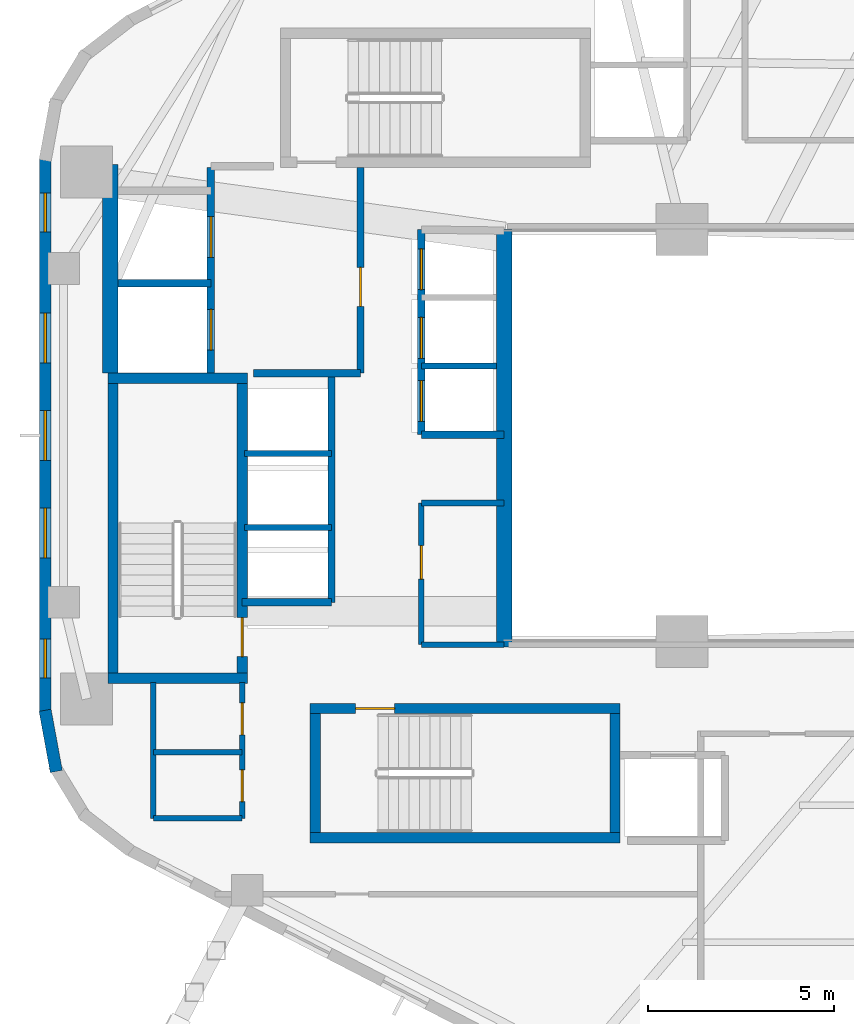
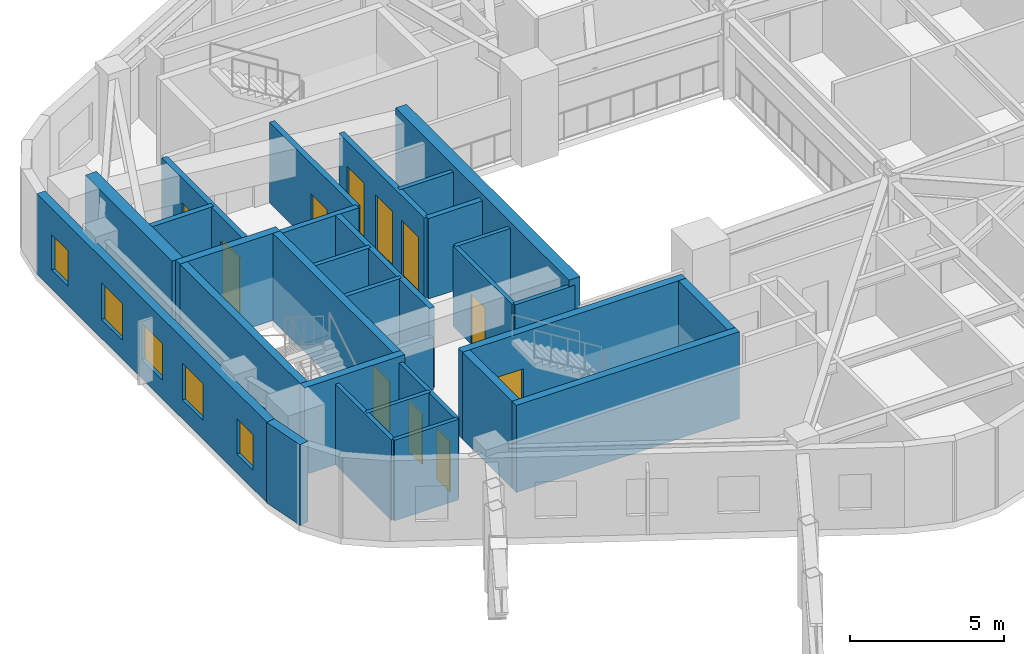
# One storey, part 6 of 11: 30 walls, 11 doors, 5 windows, 16 openings.
"""IFC4 building model written with IfcOpenShell, lengths in metres."""

from ifc_helpers import new_model, si_unit, direction, frame, frame_2d, origin, place, context, subcontext, project, spatial, rectangle, extrude, material, layer, layer_set, type_object, element, fill, save


model = new_model("IFC4")

# Units and contexts
model_context = context("Model", 3, precision=1e-05, world=origin(), true_north=direction((0.0, 1.0)))
body_context = subcontext(model_context, "Body", "Model", "MODEL_VIEW")
ifc_project = project(units=[si_unit("LENGTHUNIT", "METRE"), si_unit("AREAUNIT", "SQUARE_METRE"), si_unit("VOLUMEUNIT", "CUBIC_METRE"), si_unit("PLANEANGLEUNIT", "RADIAN"), si_unit("MASSUNIT", "GRAM", prefix="KILO"), si_unit("THERMODYNAMICTEMPERATUREUNIT", "KELVIN"), si_unit("POWERUNIT", "WATT")], contexts=[model_context])

# Site, building, storey
site_placement = place(None, origin())
site = spatial("IfcSite", under=ifc_project, at=site_placement, CompositionType="ELEMENT")
building_placement = place(site_placement, origin())
building = spatial("IfcBuilding", under=site, at=building_placement, Name="Skarre Station Tower", CompositionType="ELEMENT")
storey_placement = place(building_placement, frame((0.0, 0.0, 167.10009765625)))
storey = spatial("IfcBuildingStorey", under=building, at=storey_placement, Name="L45", CompositionType="ELEMENT", Elevation=167.10009765625)

# Wall, opening, door
ifc_material_1 = material(Name="Acoustic Steel-Stud Gypsum Partition", Category="steel")
ifc_layer_1 = layer(ifc_material_1, 0.14990234375, Name="Acoustic Steel-Stud Gypsum Partition")
ifc_layer_set_1 = layer_set([ifc_layer_1], Name="Acoustic Steel-Stud Gypsum Partition")
wall_type_1 = type_object("IfcWallType", Name="Fire-Rated Corridor Acoustic Partition 150", PredefinedType="PARTITIONING", material=ifc_layer_set_1)
wall_1_placement = place(storey_placement, frame((25.320068359375, 22.179931640625, 0.0), z_axis=(0.0, 0.0, 1.0), x_axis=(0.0, -1.0, 0.0)))
wall_1 = element("IfcWall", 1, at=wall_1_placement, inside=storey, type_object=wall_type_1, Name="L45 Interior Partition WL-PT-L45-RC1-W", PredefinedType="PARTITIONING", context=body_context, shape_type="SweptSolid", body=[
    extrude(rectangle(XDim=3.81982421875, YDim=0.14990234375, at=frame_2d((1.909912109375, 0.0))), origin(), (0.0, 0.0, 1.0), 3.18994140625),
])
opening_1_placement = place(wall_1_placement, frame((1.14990234375, 0.0, 0.0)))
opening_1 = element("IfcOpeningElement", 2, at=opening_1_placement, cuts=wall_1, Name="Opening DR-SVC90", PredefinedType="OPENING", context=body_context, shape_type="SweptSolid", body=[
    extrude(rectangle(XDim=0.89990234375, YDim=2.0, at=frame_2d((0.449951171875, 1.0))), frame((0.0, 0.0849609375, 0.0), z_axis=(0.0, -1.0, 0.0), x_axis=(1.0, 0.0, 0.0)), (0.0, 0.0, 1.0), 0.169921875),
])
ifc_material_2 = material(Name="Powder-Coated Hollow-Metal Acoustic Fire Leaf", Category="steel")
door_type_1 = type_object("IfcDoorType", Name="Service & Riser Fire Door FD60 900x2100", OperationType="SINGLE_SWING_LEFT", PredefinedType="DOOR", material=ifc_material_2)
door_1_placement = place(opening_1_placement, origin())
door_1 = element("IfcDoor", 3, at=door_1_placement, inside=storey, type_object=door_type_1, Name="L45 Staff Pantry Door", OperationType="SINGLE_SWING_LEFT", OverallHeight=2.0, OverallWidth=0.89990234375, PredefinedType="DOOR", context=body_context, shape_type="SweptSolid", body=[
    extrude(rectangle(XDim=0.89990234375, YDim=2.0, at=frame_2d((0.449951171875, 1.0))), frame((0.0, 0.02490234375, 0.0), z_axis=(0.0, -1.0, 0.0), x_axis=(1.0, 0.0, 0.0)), (0.0, 0.0, 1.0), 0.050048828125),
])
fill(opening_1, door_1)

# Walls
for number, where, z_axis, x_axis, name in (
    (4, (25.320068359375, 22.179931640625, 0.0), (0.0, 0.0, 1.0), (1.0, 0.0, 0.0), "L45 Interior Partition WL-PT-L45-RC1-N2"),
    (5, (25.320068359375, 18.360107421875, 0.0), (0.0, 0.0, 1.0), (1.0, 0.0, 0.0), "L45 Interior Partition WL-PT-L45-RC1-S"),
):
    element("IfcWall", number, at=place(storey_placement, frame(where, z_axis=z_axis, x_axis=x_axis)), inside=storey, type_object=wall_type_1, Name=name, PredefinedType="PARTITIONING", context=body_context, shape_type="SweptSolid", body=[
        extrude(rectangle(XDim=2.22998046875, YDim=0.14990234375, at=frame_2d((1.114990234375, 0.0))), origin(), (0.0, 0.0, 1.0), 3.18994140625),
    ])
wall_2_placement = place(storey_placement, frame((18.10009765625, 17.340087890625, 0.0), z_axis=(0.0, 0.0, 1.0), x_axis=(0.0, -1.0, 0.0)))
element("IfcWall", 6, at=wall_2_placement, inside=storey, type_object=wall_type_1, Name="L45 Interior Partition WL-PT-L45-CSVC-W", PredefinedType="PARTITIONING", context=body_context, shape_type="SweptSolid", body=[
    extrude(rectangle(XDim=3.66015625, YDim=0.14990234375, at=frame_2d((1.830078125, 0.0))), origin(), (0.0, 0.0, 1.0), 3.18994140625),
])
for number, where, z_axis, x_axis, name in (
    (7, (18.10009765625, 13.679931640625, 0.0), (0.0, 0.0, 1.0), (1.0, 0.0, 0.0), "L45 Interior Partition WL-PT-L45-CSVC-S"),
    (8, (18.10009765625, 15.4599609375, 0.0), (0.0, 0.0, 1.0), (1.0, 0.0, 0.0), "L45 Interior Partition WL-PT-L45-CSVC-M"),
):
    element("IfcWall", number, at=place(storey_placement, frame(where, z_axis=z_axis, x_axis=x_axis)), inside=storey, type_object=wall_type_1, Name=name, PredefinedType="PARTITIONING", context=body_context, shape_type="SweptSolid", body=[
        extrude(rectangle(XDim=2.389892578125, YDim=0.14990234375, at=frame_2d((1.19482421875, 0.0))), origin(), (0.0, 0.0, 1.0), 3.18994140625),
    ])

# Wall, openings, doors
wall_3_placement = place(storey_placement, frame((20.489990234375, 13.679931640625, 0.0), z_axis=(0.0, 0.0, 1.0), x_axis=(0.0, 1.0, 0.0)))
wall_3 = element("IfcWall", 9, at=wall_3_placement, inside=storey, type_object=wall_type_1, Name="L45 Interior Partition WL-PT-L45-CSVC-E", PredefinedType="PARTITIONING", context=body_context, shape_type="SweptSolid", body=[
    extrude(rectangle(XDim=3.66015625, YDim=0.14990234375, at=frame_2d((1.830078125, 0.0))), origin(), (0.0, 0.0, 1.0), 3.18994140625),
])
opening_2_placement = place(wall_3_placement, frame((0.449951171875, 0.0, 0.0)))
opening_2 = element("IfcOpeningElement", 10, at=opening_2_placement, cuts=wall_3, Name="Opening DR-SVC86", PredefinedType="OPENING", context=body_context, shape_type="SweptSolid", body=[
    extrude(rectangle(XDim=0.860107421875, YDim=2.0, at=frame_2d((0.43017578125, 1.0))), frame((0.0, 0.0849609375, 0.0), z_axis=(0.0, -1.0, 0.0), x_axis=(1.0, 0.0, 0.0)), (0.0, 0.0, 1.0), 0.169921875),
])
opening_3_placement = place(wall_3_placement, frame((2.25, 0.0, 0.0)))
opening_3 = element("IfcOpeningElement", 11, at=opening_3_placement, cuts=wall_3, Name="Opening DR-SVC86", PredefinedType="OPENING", context=body_context, shape_type="SweptSolid", body=[
    extrude(rectangle(XDim=0.860107421875, YDim=2.0, at=frame_2d((0.43017578125, 1.0))), frame((0.0, 0.0849609375, 0.0), z_axis=(0.0, -1.0, 0.0), x_axis=(1.0, 0.0, 0.0)), (0.0, 0.0, 1.0), 0.169921875),
])
door_type_2 = type_object("IfcDoorType", Name="Compact Riser Fire Door FD60 860x2100", OperationType="SINGLE_SWING_LEFT", PredefinedType="DOOR", material=ifc_material_2)
door_2_placement = place(opening_2_placement, origin())
door_2 = element("IfcDoor", 12, at=door_2_placement, inside=storey, type_object=door_type_2, Name="L45 Vending Room Door", OperationType="SINGLE_SWING_LEFT", OverallHeight=2.0, OverallWidth=0.860107421875, PredefinedType="DOOR", context=body_context, shape_type="SweptSolid", body=[
    extrude(rectangle(XDim=0.860107421875, YDim=2.0, at=frame_2d((0.43017578125, 1.0))), frame((0.0, 0.02490234375, 0.0), z_axis=(0.0, -1.0, 0.0), x_axis=(1.0, 0.0, 0.0)), (0.0, 0.0, 1.0), 0.050048828125),
])
fill(opening_2, door_2)
door_3_placement = place(opening_3_placement, origin())
door_3 = element("IfcDoor", 13, at=door_3_placement, inside=storey, type_object=door_type_2, Name="L45 Linen Storage Door", OperationType="SINGLE_SWING_LEFT", OverallHeight=2.0, OverallWidth=0.860107421875, PredefinedType="DOOR", context=body_context, shape_type="SweptSolid", body=[
    extrude(rectangle(XDim=0.860107421875, YDim=2.0, at=frame_2d((0.43017578125, 1.0))), frame((0.0, 0.02490234375, 0.0), z_axis=(0.0, -1.0, 0.0), x_axis=(1.0, 0.0, 0.0)), (0.0, 0.0, 1.0), 0.050048828125),
])
fill(opening_3, door_3)

# Wall
ifc_material_3 = material(Name="Precast concrete C45/55", Category="concrete")
ifc_layer_2 = layer(ifc_material_3, 0.330078125, Name="Precast concrete C45/55")
ifc_layer_set_2 = layer_set([ifc_layer_2], Name="Precast concrete C45/55")
wall_type_2 = type_object("IfcWallType", Name="Nordic Rounded Corner Precast Wall 330", PredefinedType="STANDARD", material=ifc_layer_set_2)
wall_4_placement = place(storey_placement, frame((15.48193359375, 14.943115234375, 0.0), z_axis=(0.0, 0.0, 1.0), x_axis=(-0.180717642671, 0.983535019014, 0.0)))
element("IfcWall", 14, at=wall_4_placement, inside=storey, type_object=wall_type_2, Name="L45 Rounded Corner Precast Wall F3-3", PredefinedType="STANDARD", context=body_context, shape_type="SweptSolid", body=[
    extrude(rectangle(XDim=1.676513671875, YDim=0.330078125, at=frame_2d((0.83837890625, 0.0))), origin(), (0.0, 0.0, 1.0), 3.18994140625),
])

# Wall, openings, windows
ifc_layer_3 = layer(ifc_material_3, 0.31005859375, Name="Precast concrete C45/55")
ifc_layer_set_3 = layer_set([ifc_layer_3], Name="Precast concrete C45/55")
wall_type_3 = type_object("IfcWallType", Name="Nordic Upper-Zone Precast Facet Wall 310", PredefinedType="STANDARD", material=ifc_layer_set_3)
wall_5_placement = place(storey_placement, frame((15.18310546875, 16.498046875, 0.0), z_axis=(0.0, 0.0, 1.0), x_axis=(0.0, 1.0, 0.0)))
wall_5 = element("IfcWall", 15, at=wall_5_placement, inside=storey, type_object=wall_type_3, Name="L45 Facet 2 Nordic Precast Masonry Wall", PredefinedType="STANDARD", context=body_context, shape_type="SweptSolid", body=[
    extrude(rectangle(XDim=15.00390625, YDim=0.31005859375, at=frame_2d((7.501953125, 0.0))), origin(), (0.0, 0.0, 1.0), 3.18994140625),
])
opening_4_placement = place(wall_5_placement, frame((0.968017578125, 0.0, 0.75)))
opening_4 = element("IfcOpeningElement", 16, at=opening_4_placement, cuts=wall_5, Name="Opening WN-SLT", PredefinedType="OPENING", context=body_context, shape_type="SweptSolid", body=[
    extrude(rectangle(XDim=1.050048828125, YDim=1.39990234375, at=frame_2d((0.52490234375, 0.699951171875))), frame((0.0, 0.1650390625, 0.0), z_axis=(0.0, -1.0, 0.0), x_axis=(1.0, 0.0, 0.0)), (0.0, 0.0, 1.0), 0.330078125),
])
opening_5_placement = place(wall_5_placement, frame((4.202880859375, 0.0, 0.75)))
opening_5 = element("IfcOpeningElement", 17, at=opening_5_placement, cuts=wall_5, Name="Opening WN-Z3B", PredefinedType="OPENING", context=body_context, shape_type="SweptSolid", body=[
    extrude(rectangle(XDim=1.35009765625, YDim=1.449951171875, at=frame_2d((0.675048828125, 0.72509765625))), frame((0.0, 0.1650390625, 0.0), z_axis=(0.0, -1.0, 0.0), x_axis=(1.0, 0.0, 0.0)), (0.0, 0.0, 1.0), 0.330078125),
])
opening_6_placement = place(wall_5_placement, frame((6.826904296875, 0.0, 0.75)))
opening_6 = element("IfcOpeningElement", 18, at=opening_6_placement, cuts=wall_5, Name="Opening WN-Z3B", PredefinedType="OPENING", context=body_context, shape_type="SweptSolid", body=[
    extrude(rectangle(XDim=1.35009765625, YDim=1.449951171875, at=frame_2d((0.675048828125, 0.72509765625))), frame((0.0, 0.1650390625, 0.0), z_axis=(0.0, -1.0, 0.0), x_axis=(1.0, 0.0, 0.0)), (0.0, 0.0, 1.0), 0.330078125),
])
opening_7_placement = place(wall_5_placement, frame((9.450927734375, 0.0, 0.75)))
opening_7 = element("IfcOpeningElement", 19, at=opening_7_placement, cuts=wall_5, Name="Opening WN-Z3B", PredefinedType="OPENING", context=body_context, shape_type="SweptSolid", body=[
    extrude(rectangle(XDim=1.35009765625, YDim=1.449951171875, at=frame_2d((0.675048828125, 0.72509765625))), frame((0.0, 0.1650390625, 0.0), z_axis=(0.0, -1.0, 0.0), x_axis=(1.0, 0.0, 0.0)), (0.0, 0.0, 1.0), 0.330078125),
])
opening_8_placement = place(wall_5_placement, frame((12.986083984375, 0.0, 0.75)))
opening_8 = element("IfcOpeningElement", 20, at=opening_8_placement, cuts=wall_5, Name="Opening WN-SLT", PredefinedType="OPENING", context=body_context, shape_type="SweptSolid", body=[
    extrude(rectangle(XDim=1.050048828125, YDim=1.39990234375, at=frame_2d((0.52490234375, 0.699951171875))), frame((0.0, 0.1650390625, 0.0), z_axis=(0.0, -1.0, 0.0), x_axis=(1.0, 0.0, 0.0)), (0.0, 0.0, 1.0), 0.330078125),
])
ifc_material_4 = material(Name="Low-Iron Triple Glazing with Bronze Anodized Frame", Category="glass")
window_type_1 = type_object("IfcWindowType", Name="Nordic Corner Slot Window 1050x1400", PartitioningType="SINGLE_PANEL", PredefinedType="WINDOW", material=ifc_material_4)
window_1_placement = place(opening_4_placement, origin())
window_1 = element("IfcWindow", 21, at=window_1_placement, inside=storey, type_object=window_type_1, Name="L45 Facade Window WL-FAC-L45-F2-1", OverallHeight=1.39990234375, OverallWidth=1.050048828125, PartitioningType="SINGLE_PANEL", PredefinedType="WINDOW", context=body_context, shape_type="SweptSolid", body=[
    extrude(rectangle(XDim=1.050048828125, YDim=1.39990234375, at=frame_2d((0.52490234375, 0.699951171875))), frame((0.0, 0.030029296875, 0.0), z_axis=(0.0, -1.0, 0.0), x_axis=(1.0, 0.0, 0.0)), (0.0, 0.0, 1.0), 0.06005859375),
])
fill(opening_4, window_1)
window_2_placement = place(opening_8_placement, origin())
window_2 = element("IfcWindow", 22, at=window_2_placement, inside=storey, type_object=window_type_1, Name="L45 Facade Window WL-FAC-L45-F2-5", OverallHeight=1.39990234375, OverallWidth=1.050048828125, PartitioningType="SINGLE_PANEL", PredefinedType="WINDOW", context=body_context, shape_type="SweptSolid", body=[
    extrude(rectangle(XDim=1.050048828125, YDim=1.39990234375, at=frame_2d((0.52490234375, 0.699951171875))), frame((0.0, 0.030029296875, 0.0), z_axis=(0.0, -1.0, 0.0), x_axis=(1.0, 0.0, 0.0)), (0.0, 0.0, 1.0), 0.06005859375),
])
fill(opening_8, window_2)
window_type_2 = type_object("IfcWindowType", Name="Nordic Hospitality Narrow Window 1350x1450", PartitioningType="SINGLE_PANEL", PredefinedType="WINDOW", material=ifc_material_4)
window_3_placement = place(opening_5_placement, origin())
window_3 = element("IfcWindow", 23, at=window_3_placement, inside=storey, type_object=window_type_2, Name="L45 Facade Window WL-FAC-L45-F2-2", OverallHeight=1.449951171875, OverallWidth=1.35009765625, PartitioningType="SINGLE_PANEL", PredefinedType="WINDOW", context=body_context, shape_type="SweptSolid", body=[
    extrude(rectangle(XDim=1.35009765625, YDim=1.449951171875, at=frame_2d((0.675048828125, 0.72509765625))), frame((0.0, 0.030029296875, 0.0), z_axis=(0.0, -1.0, 0.0), x_axis=(1.0, 0.0, 0.0)), (0.0, 0.0, 1.0), 0.06005859375),
])
fill(opening_5, window_3)
window_4_placement = place(opening_6_placement, origin())
window_4 = element("IfcWindow", 24, at=window_4_placement, inside=storey, type_object=window_type_2, Name="L45 Facade Window WL-FAC-L45-F2-3", OverallHeight=1.449951171875, OverallWidth=1.35009765625, PartitioningType="SINGLE_PANEL", PredefinedType="WINDOW", context=body_context, shape_type="SweptSolid", body=[
    extrude(rectangle(XDim=1.35009765625, YDim=1.449951171875, at=frame_2d((0.675048828125, 0.72509765625))), frame((0.0, 0.030029296875, 0.0), z_axis=(0.0, -1.0, 0.0), x_axis=(1.0, 0.0, 0.0)), (0.0, 0.0, 1.0), 0.06005859375),
])
fill(opening_6, window_4)
window_5_placement = place(opening_7_placement, origin())
window_5 = element("IfcWindow", 25, at=window_5_placement, inside=storey, type_object=window_type_2, Name="L45 Facade Window WL-FAC-L45-F2-4", OverallHeight=1.449951171875, OverallWidth=1.35009765625, PartitioningType="SINGLE_PANEL", PredefinedType="WINDOW", context=body_context, shape_type="SweptSolid", body=[
    extrude(rectangle(XDim=1.35009765625, YDim=1.449951171875, at=frame_2d((0.675048828125, 0.72509765625))), frame((0.0, 0.030029296875, 0.0), z_axis=(0.0, -1.0, 0.0), x_axis=(1.0, 0.0, 0.0)), (0.0, 0.0, 1.0), 0.06005859375),
])
fill(opening_7, window_5)

# Walls
ifc_material_5 = material(Name="Concrete C50/60", Category="concrete")
ifc_layer_4 = layer(ifc_material_5, 0.280029296875, Name="Concrete C50/60")
ifc_layer_set_4 = layer_set([ifc_layer_4], Name="Concrete C50/60")
wall_type_4 = type_object("IfcWallType", Name="RC Core Shear Wall 280", PredefinedType="SHEAR", material=ifc_layer_set_4)
for number, where, z_axis, x_axis, name in (
    (26, (16.8701171875, 17.4599609375, 0.0), (0.0, 0.0, 1.0), (1.0, 0.0, 0.0), "L45 Stair ST-1 South Shear Wall"),
    (27, (20.6298828125, 25.5400390625, 0.0), (0.0, 0.0, 1.0), (-1.0, 0.0, 0.0), "L45 Stair ST-1 North Shear Wall"),
):
    element("IfcWall", number, at=place(storey_placement, frame(where, z_axis=z_axis, x_axis=x_axis)), inside=storey, type_object=wall_type_4, Name=name, PredefinedType="SHEAR", context=body_context, shape_type="SweptSolid", body=[
        extrude(rectangle(XDim=3.759765625, YDim=0.280029296875, at=frame_2d((1.8798828125, 0.0))), origin(), (0.0, 0.0, 1.0), 3.449951171875),
    ])
wall_6_placement = place(storey_placement, frame((17.010009765625, 25.39990234375, 0.0), z_axis=(0.0, 0.0, 1.0), x_axis=(0.0, -1.0, 0.0)))
element("IfcWall", 28, at=wall_6_placement, inside=storey, type_object=wall_type_4, Name="L45 Stair ST-1 West Shear Wall", PredefinedType="SHEAR", context=body_context, shape_type="SweptSolid", body=[
    extrude(rectangle(XDim=7.7998046875, YDim=0.280029296875, at=frame_2d((3.89990234375, 0.0))), origin(), (0.0, 0.0, 1.0), 3.449951171875),
])

# Wall, opening, door
wall_7_placement = place(storey_placement, frame((20.489990234375, 17.60009765625, 0.0), z_axis=(0.0, 0.0, 1.0), x_axis=(0.0, 1.0, 0.0)))
wall_7 = element("IfcWall", 29, at=wall_7_placement, inside=storey, type_object=wall_type_4, Name="L45 Stair ST-1 East Shear Wall", PredefinedType="SHEAR", context=body_context, shape_type="SweptSolid", body=[
    extrude(rectangle(XDim=7.7998046875, YDim=0.280029296875, at=frame_2d((3.89990234375, 0.0))), origin(), (0.0, 0.0, 1.0), 3.449951171875),
])
opening_9_placement = place(wall_7_placement, frame((0.43994140625, 0.0, 0.0)))
opening_9 = element("IfcOpeningElement", 30, at=opening_9_placement, cuts=wall_7, Name="Opening DR-FD90", PredefinedType="OPENING", context=body_context, shape_type="SweptSolid", body=[
    extrude(rectangle(XDim=1.050048828125, YDim=2.0, at=frame_2d((0.52490234375, 1.0))), frame((0.0, 0.14990234375, 0.0), z_axis=(0.0, -1.0, 0.0), x_axis=(1.0, 0.0, 0.0)), (0.0, 0.0, 1.0), 0.300048828125),
])
ifc_material_6 = material(Name="Fire-Rated Insulated Steel Frame & Timber Core Leaf", Category="steel")
door_type_3 = type_object("IfcDoorType", Name="Stair & FSAE Lobby Fire Door FD90 1050x2150", OperationType="SINGLE_SWING_RIGHT", PredefinedType="DOOR", material=ifc_material_6)
door_4_placement = place(opening_9_placement, origin())
door_4 = element("IfcDoor", 31, at=door_4_placement, inside=storey, type_object=door_type_3, Name="L45 Stair ST-1 Exit Door", OperationType="SINGLE_SWING_RIGHT", OverallHeight=2.0, OverallWidth=1.050048828125, PredefinedType="DOOR", context=body_context, shape_type="SweptSolid", body=[
    extrude(rectangle(XDim=1.050048828125, YDim=2.0, at=frame_2d((0.52490234375, 1.0))), frame((0.0, 0.02490234375, 0.0), z_axis=(0.0, -1.0, 0.0), x_axis=(1.0, 0.0, 0.0)), (0.0, 0.0, 1.0), 0.050048828125),
])
fill(opening_9, door_4)

# Wall
wall_8_placement = place(storey_placement, frame((22.320068359375, 13.159912109375, 0.0), z_axis=(0.0, 0.0, 1.0), x_axis=(1.0, 0.0, 0.0)))
element("IfcWall", 32, at=wall_8_placement, inside=storey, type_object=wall_type_4, Name="L45 Stair ST-2 South Shear Wall", PredefinedType="SHEAR", context=body_context, shape_type="SweptSolid", body=[
    extrude(rectangle(XDim=8.35986328125, YDim=0.280029296875, at=frame_2d((4.179931640625, 0.0))), origin(), (0.0, 0.0, 1.0), 3.449951171875),
])

# Wall, opening, door
wall_9_placement = place(storey_placement, frame((30.679931640625, 16.639892578125, 0.0), z_axis=(0.0, 0.0, 1.0), x_axis=(-1.0, 0.0, 0.0)))
wall_9 = element("IfcWall", 33, at=wall_9_placement, inside=storey, type_object=wall_type_4, Name="L45 Stair ST-2 North Shear Wall", PredefinedType="SHEAR", context=body_context, shape_type="SweptSolid", body=[
    extrude(rectangle(XDim=8.35986328125, YDim=0.280029296875, at=frame_2d((4.179931640625, 0.0))), origin(), (0.0, 0.0, 1.0), 3.449951171875),
])
opening_10_placement = place(wall_9_placement, frame((6.080078125, 0.0, 0.0)))
opening_10 = element("IfcOpeningElement", 34, at=opening_10_placement, cuts=wall_9, Name="Opening DR-FD90", PredefinedType="OPENING", context=body_context, shape_type="SweptSolid", body=[
    extrude(rectangle(XDim=1.050048828125, YDim=2.0, at=frame_2d((0.52490234375, 1.0))), frame((0.0, 0.14990234375, 0.0), z_axis=(0.0, -1.0, 0.0), x_axis=(1.0, 0.0, 0.0)), (0.0, 0.0, 1.0), 0.300048828125),
])
door_5_placement = place(opening_10_placement, origin())
door_5 = element("IfcDoor", 35, at=door_5_placement, inside=storey, type_object=door_type_3, Name="L45 Stair ST-2 Exit Door", OperationType="SINGLE_SWING_RIGHT", OverallHeight=2.0, OverallWidth=1.050048828125, PredefinedType="DOOR", context=body_context, shape_type="SweptSolid", body=[
    extrude(rectangle(XDim=1.050048828125, YDim=2.0, at=frame_2d((0.52490234375, 1.0))), frame((0.0, 0.02490234375, 0.0), z_axis=(0.0, -1.0, 0.0), x_axis=(1.0, 0.0, 0.0)), (0.0, 0.0, 1.0), 0.050048828125),
])
fill(opening_10, door_5)

# Walls
for number, where, z_axis, x_axis, name in (
    (36, (22.4599609375, 16.5, 0.0), (0.0, 0.0, 1.0), (0.0, -1.0, 0.0), "L45 Stair ST-2 West Shear Wall"),
    (37, (30.5400390625, 13.300048828125, 0.0), (0.0, 0.0, 1.0), (0.0, 1.0, 0.0), "L45 Stair ST-2 East Shear Wall"),
):
    element("IfcWall", number, at=place(storey_placement, frame(where, z_axis=z_axis, x_axis=x_axis)), inside=storey, type_object=wall_type_4, Name=name, PredefinedType="SHEAR", context=body_context, shape_type="SweptSolid", body=[
        extrude(rectangle(XDim=3.199951171875, YDim=0.280029296875, at=frame_2d((1.60009765625, 0.0))), origin(), (0.0, 0.0, 1.0), 3.449951171875),
    ])
ifc_material_7 = material(Name="Concrete C60/75", Category="concrete")
ifc_layer_5 = layer(ifc_material_7, 0.419921875, Name="Concrete C60/75")
ifc_layer_set_5 = layer_set([ifc_layer_5], Name="Concrete C60/75")
wall_type_5 = type_object("IfcWallType", Name="RC Core Shear Wall 420", PredefinedType="SHEAR", material=ifc_layer_set_5)
wall_10_placement = place(storey_placement, frame((16.93994140625, 25.679931640625, 0.0), z_axis=(0.0, 0.0, 1.0), x_axis=(0.0, 1.0, 0.0)))
element("IfcWall", 38, at=wall_10_placement, inside=storey, type_object=wall_type_5, Name="L45 Core West-North Shear Wall", PredefinedType="SHEAR", context=body_context, shape_type="SweptSolid", body=[
    extrude(rectangle(XDim=5.6201171875, YDim=0.419921875, at=frame_2d((2.81005859375, 0.0))), origin(), (0.0, 0.0, 1.0), 3.449951171875),
])
wall_11_placement = place(storey_placement, frame((27.550048828125, 29.550048828125, 0.0), z_axis=(0.0, 0.0, 1.0), x_axis=(0.0, -1.0, 0.0)))
element("IfcWall", 39, at=wall_11_placement, inside=storey, type_object=wall_type_5, Name="L45 Core East Atrium Shear Wall", PredefinedType="SHEAR", context=body_context, shape_type="SweptSolid", body=[
    extrude(rectangle(XDim=11.25, YDim=0.419921875, at=frame_2d((5.625, 0.0))), origin(), (0.0, 0.0, 1.0), 3.449951171875),
])

# Wall, openings, doors
ifc_material_8 = material(Name="Gypsum Concrete Shaft Assembly C30/37", Category="concrete")
ifc_layer_6 = layer(ifc_material_8, 0.199951171875, Name="Gypsum Concrete Shaft Assembly C30/37")
ifc_layer_set_6 = layer_set([ifc_layer_6], Name="Gypsum Concrete Shaft Assembly C30/37")
wall_type_6 = type_object("IfcWallType", Name="Shaft & Core Fire Partition 200", PredefinedType="PARTITIONING", material=ifc_layer_set_6)
wall_12_placement = place(storey_placement, frame((19.64990234375, 25.679931640625, 0.0), z_axis=(0.0, 0.0, 1.0), x_axis=(0.0, 1.0, 0.0)))
wall_12 = element("IfcWall", 40, at=wall_12_placement, inside=storey, type_object=wall_type_6, Name="L45 Interior Partition WL-PT-L45-FSAE-W", PredefinedType="PARTITIONING", context=body_context, shape_type="SweptSolid", body=[
    extrude(rectangle(XDim=5.5400390625, YDim=0.199951171875, at=frame_2d((2.77001953125, 0.0))), origin(), (0.0, 0.0, 1.0), 3.18994140625),
])
opening_11_placement = place(wall_12_placement, frame((0.6201171875, 0.0, 0.0)))
opening_11 = element("IfcOpeningElement", 41, at=opening_11_placement, cuts=wall_12, Name="Opening LD-FF1", PredefinedType="OPENING", context=body_context, shape_type="SweptSolid", body=[
    extrude(rectangle(XDim=1.10009765625, YDim=2.199951171875, at=frame_2d((0.550048828125, 1.10009765625))), frame((0.0, 0.10986328125, 0.0), z_axis=(0.0, -1.0, 0.0), x_axis=(1.0, 0.0, 0.0)), (0.0, 0.0, 1.0), 0.219970703125),
])
opening_12_placement = place(wall_12_placement, frame((3.1201171875, 0.0, 0.0)))
opening_12 = element("IfcOpeningElement", 42, at=opening_12_placement, cuts=wall_12, Name="Opening LD-FF2", PredefinedType="OPENING", context=body_context, shape_type="SweptSolid", body=[
    extrude(rectangle(XDim=1.10009765625, YDim=2.199951171875, at=frame_2d((0.550048828125, 1.10009765625))), frame((0.0, 0.10986328125, 0.0), z_axis=(0.0, -1.0, 0.0), x_axis=(1.0, 0.0, 0.0)), (0.0, 0.0, 1.0), 0.219970703125),
])
ifc_material_9 = material(Name="Fire-Rated Stainless Steel Grade 316L Sliding Leaves", Category="steel")
door_type_4 = type_object("IfcDoorType", Name="Fire Service Access Elevator Sliding Landing Door 1100x2200", OperationType="SLIDING_TO_LEFT", PredefinedType="DOOR", material=ifc_material_9)
door_6_placement = place(opening_11_placement, origin())
door_6 = element("IfcDoor", 43, at=door_6_placement, inside=storey, type_object=door_type_4, Name="L45 Firefighting Lift LF-FF1 Landing Door", OperationType="SLIDING_TO_LEFT", OverallHeight=2.199951171875, OverallWidth=1.10009765625, PredefinedType="DOOR", context=body_context, shape_type="SweptSolid", body=[
    extrude(rectangle(XDim=1.10009765625, YDim=2.199951171875, at=frame_2d((0.550048828125, 1.10009765625))), frame((0.0, 0.02490234375, 0.0), z_axis=(0.0, -1.0, 0.0), x_axis=(1.0, 0.0, 0.0)), (0.0, 0.0, 1.0), 0.050048828125),
])
fill(opening_11, door_6)
door_7_placement = place(opening_12_placement, origin())
door_7 = element("IfcDoor", 44, at=door_7_placement, inside=storey, type_object=door_type_4, Name="L45 Firefighting Lift LF-FF2 Landing Door", OperationType="SLIDING_TO_LEFT", OverallHeight=2.199951171875, OverallWidth=1.10009765625, PredefinedType="DOOR", context=body_context, shape_type="SweptSolid", body=[
    extrude(rectangle(XDim=1.10009765625, YDim=2.199951171875, at=frame_2d((0.550048828125, 1.10009765625))), frame((0.0, 0.02490234375, 0.0), z_axis=(0.0, -1.0, 0.0), x_axis=(1.0, 0.0, 0.0)), (0.0, 0.0, 1.0), 0.050048828125),
])
fill(opening_12, door_7)

# Wall
wall_13_placement = place(storey_placement, frame((20.79296875, 25.679931640625, 0.0), z_axis=(0.0, 0.0, 1.0), x_axis=(1.0, 0.0, 0.0)))
element("IfcWall", 45, at=wall_13_placement, inside=storey, type_object=wall_type_6, Name="L45 Interior Partition WL-PT-L45-FSAE-S", PredefinedType="PARTITIONING", context=body_context, shape_type="SweptSolid", body=[
    extrude(rectangle(XDim=2.886962890625, YDim=0.199951171875, at=frame_2d((1.443359375, 0.0))), origin(), (0.0, 0.0, 1.0), 3.18994140625),
])

# Wall, opening, door
wall_14_placement = place(storey_placement, frame((23.679931640625, 25.679931640625, 0.0), z_axis=(0.0, 0.0, 1.0), x_axis=(0.0, 1.0, 0.0)))
wall_14 = element("IfcWall", 46, at=wall_14_placement, inside=storey, type_object=wall_type_6, Name="L45 Interior Partition WL-PT-L45-FSAE-E", PredefinedType="PARTITIONING", context=body_context, shape_type="SweptSolid", body=[
    extrude(rectangle(XDim=5.5400390625, YDim=0.199951171875, at=frame_2d((2.77001953125, 0.0))), origin(), (0.0, 0.0, 1.0), 3.18994140625),
])
opening_13_placement = place(wall_14_placement, frame((1.800048828125, 0.0, 0.0)))
opening_13 = element("IfcOpeningElement", 47, at=opening_13_placement, cuts=wall_14, Name="Opening DR-FD90", PredefinedType="OPENING", context=body_context, shape_type="SweptSolid", body=[
    extrude(rectangle(XDim=1.050048828125, YDim=2.0, at=frame_2d((0.52490234375, 1.0))), frame((0.0, 0.10986328125, 0.0), z_axis=(0.0, -1.0, 0.0), x_axis=(1.0, 0.0, 0.0)), (0.0, 0.0, 1.0), 0.219970703125),
])
door_8_placement = place(opening_13_placement, origin())
door_8 = element("IfcDoor", 48, at=door_8_placement, inside=storey, type_object=door_type_3, Name="L45 FSAE Lobby Fire Door", OperationType="SINGLE_SWING_RIGHT", OverallHeight=2.0, OverallWidth=1.050048828125, PredefinedType="DOOR", context=body_context, shape_type="SweptSolid", body=[
    extrude(rectangle(XDim=1.050048828125, YDim=2.0, at=frame_2d((0.52490234375, 1.0))), frame((0.0, 0.02490234375, 0.0), z_axis=(0.0, -1.0, 0.0), x_axis=(1.0, 0.0, 0.0)), (0.0, 0.0, 1.0), 0.050048828125),
])
fill(opening_13, door_8)

# Walls
wall_15_placement = place(storey_placement, frame((17.14990234375, 28.10009765625, 0.0), z_axis=(0.0, 0.0, 1.0), x_axis=(1.0, 0.0, 0.0)))
element("IfcWall", 49, at=wall_15_placement, inside=storey, type_object=wall_type_6, Name="L45 Interior Partition WL-PT-L45-FF-DIV", PredefinedType="PARTITIONING", context=body_context, shape_type="SweptSolid", body=[
    extrude(rectangle(XDim=2.5, YDim=0.199951171875, at=frame_2d((1.25, 0.0))), origin(), (0.0, 0.0, 1.0), 3.18994140625),
])
wall_16_placement = place(storey_placement, frame((22.89990234375, 19.5, 0.0), z_axis=(0.0, 0.0, 1.0), x_axis=(0.0, 1.0, 0.0)))
element("IfcWall", 50, at=wall_16_placement, inside=storey, type_object=wall_type_6, Name="L45 Interior Partition WL-PT-L45-B3-E", PredefinedType="PARTITIONING", context=body_context, shape_type="SweptSolid", body=[
    extrude(rectangle(XDim=6.0849609375, YDim=0.199951171875, at=frame_2d((3.04248046875, 0.0))), origin(), (0.0, 0.0, 1.0), 3.18994140625),
])
wall_17_placement = place(storey_placement, frame((20.489990234375, 19.5, 0.0), z_axis=(0.0, 0.0, 1.0), x_axis=(1.0, 0.0, 0.0)))
element("IfcWall", 51, at=wall_17_placement, inside=storey, type_object=wall_type_6, Name="L45 Interior Partition WL-PT-L45-B3-S", PredefinedType="PARTITIONING", context=body_context, shape_type="SweptSolid", body=[
    extrude(rectangle(XDim=2.409912109375, YDim=0.199951171875, at=frame_2d((1.205078125, 0.0))), origin(), (0.0, 0.0, 1.0), 2.08984375),
])
for number, where, z_axis, x_axis, name in (
    (52, (20.550048828125, 21.52001953125, 0.0), (0.0, 0.0, 1.0), (1.0, 0.0, 0.0), "L45 Interior Partition WL-PT-L45-B3-D1"),
    (53, (20.550048828125, 23.52001953125, 0.0), (0.0, 0.0, 1.0), (1.0, 0.0, 0.0), "L45 Interior Partition WL-PT-L45-B3-D2"),
):
    element("IfcWall", number, at=place(storey_placement, frame(where, z_axis=z_axis, x_axis=x_axis)), inside=storey, type_object=wall_type_6, Name=name, PredefinedType="PARTITIONING", context=body_context, shape_type="SweptSolid", body=[
        extrude(rectangle(XDim=2.349853515625, YDim=0.159912109375, at=frame_2d((1.1748046875, 0.0))), origin(), (0.0, 0.0, 1.0), 3.18994140625),
    ])

# Wall, openings, doors
wall_18_placement = place(storey_placement, frame((25.320068359375, 29.550048828125, 0.0), z_axis=(0.0, 0.0, 1.0), x_axis=(0.0, -1.0, 0.0)))
wall_18 = element("IfcWall", 54, at=wall_18_placement, inside=storey, type_object=wall_type_6, Name="L45 Interior Partition WL-PT-L45-B2-W", PredefinedType="PARTITIONING", context=body_context, shape_type="SweptSolid", body=[
    extrude(rectangle(XDim=5.530029296875, YDim=0.199951171875, at=frame_2d((2.76513671875, 0.0))), origin(), (0.0, 0.0, 1.0), 3.18994140625),
])
opening_14_placement = place(wall_18_placement, frame((0.52001953125, 0.0, 0.0)))
opening_14 = element("IfcOpeningElement", 55, at=opening_14_placement, cuts=wall_18, Name="Opening LD-P6", PredefinedType="OPENING", context=body_context, shape_type="SweptSolid", body=[
    extrude(rectangle(XDim=1.10009765625, YDim=2.199951171875, at=frame_2d((0.550048828125, 1.10009765625))), frame((0.0, 0.10986328125, 0.0), z_axis=(0.0, -1.0, 0.0), x_axis=(1.0, 0.0, 0.0)), (0.0, 0.0, 1.0), 0.219970703125),
])
opening_15_placement = place(wall_18_placement, frame((2.3701171875, 0.0, 0.0)))
opening_15 = element("IfcOpeningElement", 56, at=opening_15_placement, cuts=wall_18, Name="Opening LD-P5", PredefinedType="OPENING", context=body_context, shape_type="SweptSolid", body=[
    extrude(rectangle(XDim=1.10009765625, YDim=2.199951171875, at=frame_2d((0.550048828125, 1.10009765625))), frame((0.0, 0.10986328125, 0.0), z_axis=(0.0, -1.0, 0.0), x_axis=(1.0, 0.0, 0.0)), (0.0, 0.0, 1.0), 0.219970703125),
])
opening_16_placement = place(wall_18_placement, frame((4.070068359375, 0.0, 0.0)))
opening_16 = element("IfcOpeningElement", 57, at=opening_16_placement, cuts=wall_18, Name="Opening LD-P4", PredefinedType="OPENING", context=body_context, shape_type="SweptSolid", body=[
    extrude(rectangle(XDim=1.10009765625, YDim=2.199951171875, at=frame_2d((0.550048828125, 1.10009765625))), frame((0.0, 0.10986328125, 0.0), z_axis=(0.0, -1.0, 0.0), x_axis=(1.0, 0.0, 0.0)), (0.0, 0.0, 1.0), 0.219970703125),
])
ifc_material_10 = material(Name="Brushed Bronze Stainless Steel Sliding Leaves", Category="steel")
door_type_5 = type_object("IfcDoorType", Name="Passenger Elevator Center-Parting Sliding Door 1100x2200", OperationType="SLIDING_TO_LEFT", PredefinedType="DOOR", material=ifc_material_10)
door_9_placement = place(opening_14_placement, origin())
door_9 = element("IfcDoor", 58, at=door_9_placement, inside=storey, type_object=door_type_5, Name="L45 Passenger Lift LF-P6 Landing Door", OperationType="SLIDING_TO_LEFT", OverallHeight=2.199951171875, OverallWidth=1.10009765625, PredefinedType="DOOR", context=body_context, shape_type="SweptSolid", body=[
    extrude(rectangle(XDim=1.10009765625, YDim=2.199951171875, at=frame_2d((0.550048828125, 1.10009765625))), frame((0.0, 0.02490234375, 0.0), z_axis=(0.0, -1.0, 0.0), x_axis=(1.0, 0.0, 0.0)), (0.0, 0.0, 1.0), 0.050048828125),
])
fill(opening_14, door_9)
door_10_placement = place(opening_15_placement, origin())
door_10 = element("IfcDoor", 59, at=door_10_placement, inside=storey, type_object=door_type_5, Name="L45 Passenger Lift LF-P5 Landing Door", OperationType="SLIDING_TO_LEFT", OverallHeight=2.199951171875, OverallWidth=1.10009765625, PredefinedType="DOOR", context=body_context, shape_type="SweptSolid", body=[
    extrude(rectangle(XDim=1.10009765625, YDim=2.199951171875, at=frame_2d((0.550048828125, 1.10009765625))), frame((0.0, 0.02490234375, 0.0), z_axis=(0.0, -1.0, 0.0), x_axis=(1.0, 0.0, 0.0)), (0.0, 0.0, 1.0), 0.050048828125),
])
fill(opening_15, door_10)
door_11_placement = place(opening_16_placement, origin())
door_11 = element("IfcDoor", 60, at=door_11_placement, inside=storey, type_object=door_type_5, Name="L45 Passenger Lift LF-P4 Landing Door", OperationType="SLIDING_TO_LEFT", OverallHeight=2.199951171875, OverallWidth=1.10009765625, PredefinedType="DOOR", context=body_context, shape_type="SweptSolid", body=[
    extrude(rectangle(XDim=1.10009765625, YDim=2.199951171875, at=frame_2d((0.550048828125, 1.10009765625))), frame((0.0, 0.02490234375, 0.0), z_axis=(0.0, -1.0, 0.0), x_axis=(1.0, 0.0, 0.0)), (0.0, 0.0, 1.0), 0.050048828125),
])
fill(opening_16, door_11)

# Walls
wall_19_placement = place(storey_placement, frame((25.320068359375, 24.02001953125, 0.0), z_axis=(0.0, 0.0, 1.0), x_axis=(1.0, 0.0, 0.0)))
element("IfcWall", 61, at=wall_19_placement, inside=storey, type_object=wall_type_6, Name="L45 Interior Partition WL-PT-L45-B2-S", PredefinedType="PARTITIONING", context=body_context, shape_type="SweptSolid", body=[
    extrude(rectangle(XDim=2.22998046875, YDim=0.199951171875, at=frame_2d((1.114990234375, 0.0))), origin(), (0.0, 0.0, 1.0), 3.18994140625),
])
wall_20_placement = place(storey_placement, frame((25.320068359375, 25.8701171875, 0.0), z_axis=(0.0, 0.0, 1.0), x_axis=(1.0, 0.0, 0.0)))
element("IfcWall", 62, at=wall_20_placement, inside=storey, type_object=wall_type_6, Name="L45 Interior Partition WL-PT-L45-B2-D258", PredefinedType="PARTITIONING", context=body_context, shape_type="SweptSolid", body=[
    extrude(rectangle(XDim=2.030029296875, YDim=0.159912109375, at=frame_2d((1.01513671875, 0.0))), origin(), (0.0, 0.0, 1.0), 3.18994140625),
])

save(model, "model.ifc")
